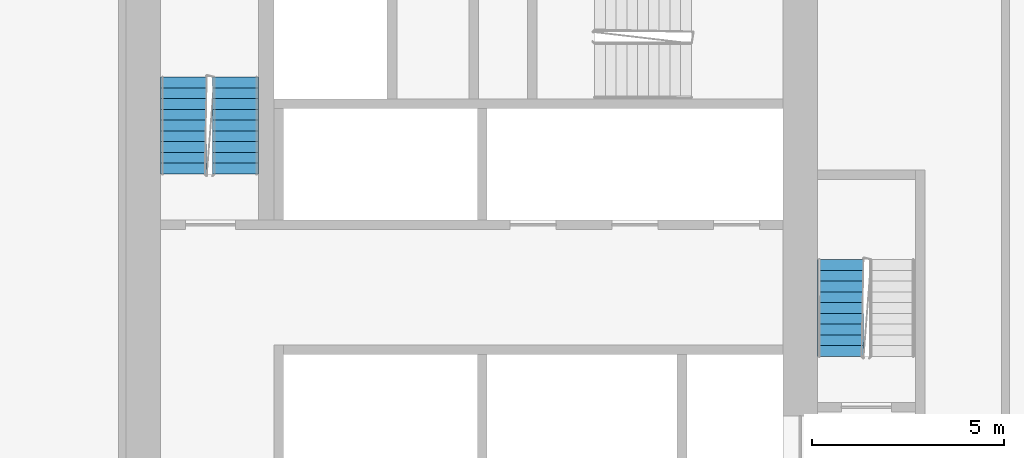
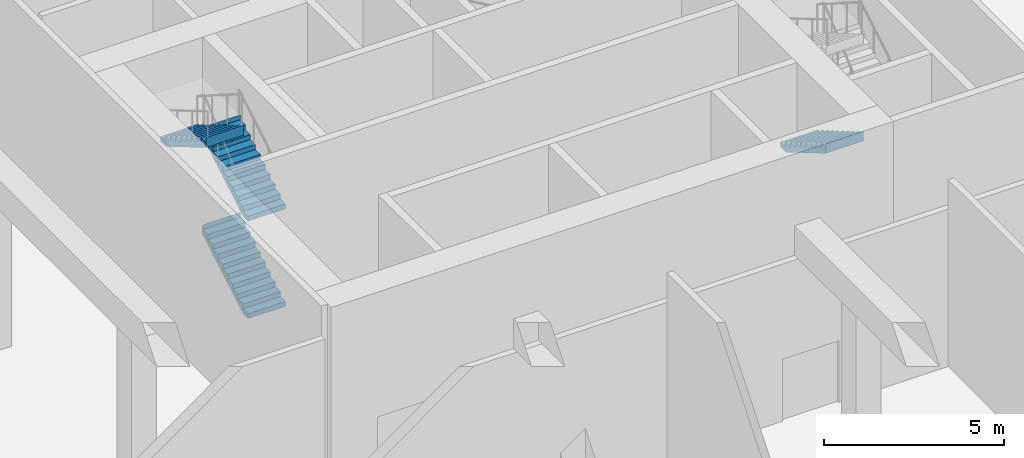
# One storey, part 20 of 25: 4 stair flights, 2 elements without a shape of their own.
"""IFC4 building model written with IfcOpenShell, lengths in metres."""

from ifc_helpers import new_model, si_unit, direction, frame, origin, place, context, subcontext, project, spatial, faceted_brep, material, type_object, element, aggregate, save


model = new_model("IFC4")

# Units and contexts
model_context = context("Model", 3, precision=1e-05, world=origin(), true_north=direction((0.0, 1.0)))
body_context = subcontext(model_context, "Body", "Model", "MODEL_VIEW")
ifc_project = project(units=[si_unit("LENGTHUNIT", "METRE"), si_unit("AREAUNIT", "SQUARE_METRE"), si_unit("VOLUMEUNIT", "CUBIC_METRE"), si_unit("PLANEANGLEUNIT", "RADIAN"), si_unit("MASSUNIT", "GRAM", prefix="KILO")], contexts=[model_context])

# Site, building, storey
site_placement = place(None, origin())
site = spatial("IfcSite", under=ifc_project, at=site_placement, CompositionType="ELEMENT")
building_placement = place(site_placement, origin())
building = spatial("IfcBuilding", under=site, at=building_placement, Name="Kajstack Hotel Tower", CompositionType="ELEMENT")
storey_placement = place(building_placement, frame((0.0, 0.0, 104.199951171875)))
storey = spatial("IfcBuildingStorey", under=building, at=storey_placement, Name="L22", CompositionType="ELEMENT", Elevation=104.199951171875)

# Stair, stair flight
ifc_material = material(Name="Concrete C40/50", Category="concrete")
stair_type = type_object("IfcStairType", Name="Exit stair 1200", PredefinedType="HALF_TURN_STAIR", material=ifc_material)
stair_1_placement = place(storey_placement, origin())
stair_1 = element("IfcStair", 1, at=stair_1_placement, inside=storey, type_object=stair_type, Name="L22 stair E1", PredefinedType="HALF_TURN_STAIR")
stair_flight_type = type_object("IfcStairFlightType", Name="Exit stair flight 1200", PredefinedType="STRAIGHT", material=ifc_material)
stair_flight_1_placement = place(storey_placement, frame((32.10009765625, 7.77001953125, 1.650146484375), z_axis=(0.0, 0.0, 1.0), x_axis=(0.0, -1.0, 0.0)))
stair_flight_1 = element("IfcStairFlight", 2, at=stair_flight_1_placement, type_object=stair_flight_type, Name="E1 flight 2", NumberOfRisers=10, NumberOfTreads=9, PredefinedType="STRAIGHT", RiserHeight=0.165, TreadLength=0.28, context=body_context, shape_type="Brep", body=[
    faceted_brep([(0.295654296875, -0.60009765625, 0.0), (2.5205078125, -0.60009765625, 1.31103515625), (2.5205078125, -0.60009765625, 1.64990234375), (2.52001953125, -0.60009765625, 1.64990234375), (2.52001953125, -0.60009765625, 1.485107421875), (2.239990234375, -0.60009765625, 1.485107421875), (2.239990234375, -0.60009765625, 1.320068359375), (1.9599609375, -0.60009765625, 1.320068359375), (1.9599609375, -0.60009765625, 1.155029296875), (1.679931640625, -0.60009765625, 1.155029296875), (1.679931640625, -0.60009765625, 0.989990234375), (1.39990234375, -0.60009765625, 0.989990234375), (1.39990234375, -0.60009765625, 0.824951171875), (1.1201171875, -0.60009765625, 0.824951171875), (1.1201171875, -0.60009765625, 0.659912109375), (0.840087890625, -0.60009765625, 0.659912109375), (0.840087890625, -0.60009765625, 0.4951171875), (0.56005859375, -0.60009765625, 0.4951171875), (0.56005859375, -0.60009765625, 0.330078125), (0.280029296875, -0.60009765625, 0.330078125), (0.280029296875, -0.60009765625, 0.1650390625), (-0.00048828125, -0.60009765625, 0.1650390625), (-0.00048828125, -0.60009765625, 0.0), (-0.00048828125, 0.60009765625, 0.0), (-0.00048828125, 0.60009765625, 0.1650390625), (0.280029296875, 0.60009765625, 0.1650390625), (0.280029296875, 0.60009765625, 0.330078125), (0.56005859375, 0.60009765625, 0.330078125), (0.56005859375, 0.60009765625, 0.4951171875), (0.840087890625, 0.60009765625, 0.4951171875), (0.840087890625, 0.60009765625, 0.659912109375), (1.1201171875, 0.60009765625, 0.659912109375), (1.1201171875, 0.60009765625, 0.824951171875), (1.39990234375, 0.60009765625, 0.824951171875), (1.39990234375, 0.60009765625, 0.989990234375), (1.679931640625, 0.60009765625, 0.989990234375), (1.679931640625, 0.60009765625, 1.155029296875), (1.9599609375, 0.60009765625, 1.155029296875), (1.9599609375, 0.60009765625, 1.320068359375), (2.239990234375, 0.60009765625, 1.320068359375), (2.239990234375, 0.60009765625, 1.485107421875), (2.52001953125, 0.60009765625, 1.485107421875), (2.52001953125, 0.60009765625, 1.64990234375), (2.5205078125, 0.60009765625, 1.64990234375), (2.5205078125, 0.60009765625, 1.31103515625), (0.295654296875, 0.60009765625, 0.0), (-0.00048828125, -0.300048828125, 0.1650390625), (-0.00048828125, 0.0, 0.1650390625), (-0.00048828125, 0.300048828125, 0.1650390625), (-0.00048828125, 0.300048828125, 0.0), (-0.00048828125, 0.0, 0.0), (-0.00048828125, -0.300048828125, 0.0), (0.280029296875, -0.300048828125, 0.1650390625), (0.280029296875, 0.0, 0.1650390625), (0.280029296875, 0.300048828125, 0.1650390625), (0.280029296875, -0.300048828125, 0.330078125), (0.280029296875, 0.0, 0.330078125), (0.280029296875, 0.300048828125, 0.330078125), (0.56005859375, -0.300048828125, 0.330078125), (0.56005859375, 0.0, 0.330078125), (0.56005859375, 0.300048828125, 0.330078125), (0.56005859375, -0.300048828125, 0.4951171875), (0.56005859375, 0.0, 0.4951171875), (0.56005859375, 0.300048828125, 0.4951171875), (0.840087890625, -0.300048828125, 0.4951171875), (0.840087890625, 0.0, 0.4951171875), (0.840087890625, 0.300048828125, 0.4951171875), (0.840087890625, -0.300048828125, 0.659912109375), (0.840087890625, 0.0, 0.659912109375), (0.840087890625, 0.300048828125, 0.659912109375), (1.1201171875, -0.300048828125, 0.659912109375), (1.1201171875, 0.0, 0.659912109375), (1.1201171875, 0.300048828125, 0.659912109375), (1.1201171875, -0.300048828125, 0.824951171875), (1.1201171875, 0.0, 0.824951171875), (1.1201171875, 0.300048828125, 0.824951171875), (1.39990234375, -0.300048828125, 0.824951171875), (1.39990234375, 0.0, 0.824951171875), (1.39990234375, 0.300048828125, 0.824951171875), (1.39990234375, -0.300048828125, 0.989990234375), (1.39990234375, 0.0, 0.989990234375), (1.39990234375, 0.300048828125, 0.989990234375), (1.679931640625, -0.300048828125, 0.989990234375), (1.679931640625, 0.0, 0.989990234375), (1.679931640625, 0.300048828125, 0.989990234375), (1.679931640625, -0.300048828125, 1.155029296875), (1.679931640625, 0.0, 1.155029296875), (1.679931640625, 0.300048828125, 1.155029296875), (1.9599609375, -0.300048828125, 1.155029296875), (1.9599609375, 0.0, 1.155029296875), (1.9599609375, 0.300048828125, 1.155029296875), (1.9599609375, -0.300048828125, 1.320068359375), (1.9599609375, 0.0, 1.320068359375), (1.9599609375, 0.300048828125, 1.320068359375), (2.239990234375, -0.300048828125, 1.320068359375), (2.239990234375, 0.0, 1.320068359375), (2.239990234375, 0.300048828125, 1.320068359375), (2.239990234375, -0.300048828125, 1.485107421875), (2.239990234375, 0.0, 1.485107421875), (2.239990234375, 0.300048828125, 1.485107421875), (2.52001953125, -0.300048828125, 1.485107421875), (2.52001953125, 0.0, 1.485107421875), (2.52001953125, 0.300048828125, 1.485107421875), (2.52001953125, -0.300048828125, 1.64990234375), (2.52001953125, 0.0, 1.64990234375), (2.52001953125, 0.300048828125, 1.64990234375), (2.5205078125, -0.300048828125, 1.64990234375), (2.5205078125, 0.0, 1.64990234375), (2.5205078125, 0.300048828125, 1.64990234375), (2.5205078125, -0.300048828125, 1.31103515625), (2.5205078125, 0.0, 1.31103515625), (2.5205078125, 0.300048828125, 1.31103515625), (0.295654296875, -0.300048828125, 0.0), (0.295654296875, 0.0, 0.0), (0.295654296875, 0.300048828125, 0.0)], [[[0, 1, 2, 3, 4, 5, 6, 7, 8, 9, 10, 11, 12, 13, 14, 15, 16, 17, 18, 19, 20, 21, 22]], [[23, 24, 25, 26, 27, 28, 29, 30, 31, 32, 33, 34, 35, 36, 37, 38, 39, 40, 41, 42, 43, 44, 45]], [[21, 46, 47, 48, 24, 23, 49, 50, 51, 22]], [[20, 52, 53, 54, 25, 24, 48, 47, 46, 21]], [[19, 55, 56, 57, 26, 25, 54, 53, 52, 20]], [[18, 58, 59, 60, 27, 26, 57, 56, 55, 19]], [[17, 61, 62, 63, 28, 27, 60, 59, 58, 18]], [[16, 64, 65, 66, 29, 28, 63, 62, 61, 17]], [[15, 67, 68, 69, 30, 29, 66, 65, 64, 16]], [[14, 70, 71, 72, 31, 30, 69, 68, 67, 15]], [[13, 73, 74, 75, 32, 31, 72, 71, 70, 14]], [[12, 76, 77, 78, 33, 32, 75, 74, 73, 13]], [[11, 79, 80, 81, 34, 33, 78, 77, 76, 12]], [[10, 82, 83, 84, 35, 34, 81, 80, 79, 11]], [[9, 85, 86, 87, 36, 35, 84, 83, 82, 10]], [[8, 88, 89, 90, 37, 36, 87, 86, 85, 9]], [[7, 91, 92, 93, 38, 37, 90, 89, 88, 8]], [[6, 94, 95, 96, 39, 38, 93, 92, 91, 7]], [[5, 97, 98, 99, 40, 39, 96, 95, 94, 6]], [[4, 100, 101, 102, 41, 40, 99, 98, 97, 5]], [[3, 103, 104, 105, 42, 41, 102, 101, 100, 4]], [[2, 106, 107, 108, 43, 42, 105, 104, 103, 3]], [[1, 109, 110, 111, 44, 43, 108, 107, 106, 2]], [[0, 112, 113, 114, 45, 44, 111, 110, 109, 1]], [[22, 51, 50, 49, 23, 45, 114, 113, 112, 0]]]),
])
aggregate(stair_1, [stair_flight_1])

# Stair, stair flights
stair_2_placement = place(storey_placement, origin())
stair_2 = element("IfcStair", 3, at=stair_2_placement, inside=storey, type_object=stair_type, Name="L22 stair E2", PredefinedType="HALF_TURN_STAIR")
stair_flight_2_placement = place(storey_placement, frame((16.35009765625, 10.0, 0.0), z_axis=(0.0, 0.0, 1.0), x_axis=(0.0, 1.0, 0.0)))
stair_flight_2 = element("IfcStairFlight", 4, at=stair_flight_2_placement, type_object=stair_flight_type, Name="E2 flight 1", NumberOfRisers=10, NumberOfTreads=9, PredefinedType="STRAIGHT", RiserHeight=0.165, TreadLength=0.28, context=body_context, shape_type="Brep", body=[
    faceted_brep([(0.295654296875, -0.60009765625, 0.0), (2.5205078125, -0.60009765625, 1.31103515625), (2.5205078125, -0.60009765625, 1.64990234375), (2.52001953125, -0.60009765625, 1.64990234375), (2.52001953125, -0.60009765625, 1.485107421875), (2.239990234375, -0.60009765625, 1.485107421875), (2.239990234375, -0.60009765625, 1.320068359375), (1.9599609375, -0.60009765625, 1.320068359375), (1.9599609375, -0.60009765625, 1.155029296875), (1.679931640625, -0.60009765625, 1.155029296875), (1.679931640625, -0.60009765625, 0.989990234375), (1.39990234375, -0.60009765625, 0.989990234375), (1.39990234375, -0.60009765625, 0.824951171875), (1.1201171875, -0.60009765625, 0.824951171875), (1.1201171875, -0.60009765625, 0.659912109375), (0.840087890625, -0.60009765625, 0.659912109375), (0.840087890625, -0.60009765625, 0.4951171875), (0.56005859375, -0.60009765625, 0.4951171875), (0.56005859375, -0.60009765625, 0.330078125), (0.280029296875, -0.60009765625, 0.330078125), (0.280029296875, -0.60009765625, 0.1650390625), (-0.00048828125, -0.60009765625, 0.1650390625), (-0.00048828125, -0.60009765625, 0.0), (-0.00048828125, 0.60009765625, 0.0), (-0.00048828125, 0.60009765625, 0.1650390625), (0.280029296875, 0.60009765625, 0.1650390625), (0.280029296875, 0.60009765625, 0.330078125), (0.56005859375, 0.60009765625, 0.330078125), (0.56005859375, 0.60009765625, 0.4951171875), (0.840087890625, 0.60009765625, 0.4951171875), (0.840087890625, 0.60009765625, 0.659912109375), (1.1201171875, 0.60009765625, 0.659912109375), (1.1201171875, 0.60009765625, 0.824951171875), (1.39990234375, 0.60009765625, 0.824951171875), (1.39990234375, 0.60009765625, 0.989990234375), (1.679931640625, 0.60009765625, 0.989990234375), (1.679931640625, 0.60009765625, 1.155029296875), (1.9599609375, 0.60009765625, 1.155029296875), (1.9599609375, 0.60009765625, 1.320068359375), (2.239990234375, 0.60009765625, 1.320068359375), (2.239990234375, 0.60009765625, 1.485107421875), (2.52001953125, 0.60009765625, 1.485107421875), (2.52001953125, 0.60009765625, 1.64990234375), (2.5205078125, 0.60009765625, 1.64990234375), (2.5205078125, 0.60009765625, 1.31103515625), (0.295654296875, 0.60009765625, 0.0), (-0.00048828125, -0.300048828125, 0.1650390625), (-0.00048828125, 0.0, 0.1650390625), (-0.00048828125, 0.300048828125, 0.1650390625), (-0.00048828125, 0.300048828125, 0.0), (-0.00048828125, 0.0, 0.0), (-0.00048828125, -0.300048828125, 0.0), (0.280029296875, -0.300048828125, 0.1650390625), (0.280029296875, 0.0, 0.1650390625), (0.280029296875, 0.300048828125, 0.1650390625), (0.280029296875, -0.300048828125, 0.330078125), (0.280029296875, 0.0, 0.330078125), (0.280029296875, 0.300048828125, 0.330078125), (0.56005859375, -0.300048828125, 0.330078125), (0.56005859375, 0.0, 0.330078125), (0.56005859375, 0.300048828125, 0.330078125), (0.56005859375, -0.300048828125, 0.4951171875), (0.56005859375, 0.0, 0.4951171875), (0.56005859375, 0.300048828125, 0.4951171875), (0.840087890625, -0.300048828125, 0.4951171875), (0.840087890625, 0.0, 0.4951171875), (0.840087890625, 0.300048828125, 0.4951171875), (0.840087890625, -0.300048828125, 0.659912109375), (0.840087890625, 0.0, 0.659912109375), (0.840087890625, 0.300048828125, 0.659912109375), (1.1201171875, -0.300048828125, 0.659912109375), (1.1201171875, 0.0, 0.659912109375), (1.1201171875, 0.300048828125, 0.659912109375), (1.1201171875, -0.300048828125, 0.824951171875), (1.1201171875, 0.0, 0.824951171875), (1.1201171875, 0.300048828125, 0.824951171875), (1.39990234375, -0.300048828125, 0.824951171875), (1.39990234375, 0.0, 0.824951171875), (1.39990234375, 0.300048828125, 0.824951171875), (1.39990234375, -0.300048828125, 0.989990234375), (1.39990234375, 0.0, 0.989990234375), (1.39990234375, 0.300048828125, 0.989990234375), (1.679931640625, -0.300048828125, 0.989990234375), (1.679931640625, 0.0, 0.989990234375), (1.679931640625, 0.300048828125, 0.989990234375), (1.679931640625, -0.300048828125, 1.155029296875), (1.679931640625, 0.0, 1.155029296875), (1.679931640625, 0.300048828125, 1.155029296875), (1.9599609375, -0.300048828125, 1.155029296875), (1.9599609375, 0.0, 1.155029296875), (1.9599609375, 0.300048828125, 1.155029296875), (1.9599609375, -0.300048828125, 1.320068359375), (1.9599609375, 0.0, 1.320068359375), (1.9599609375, 0.300048828125, 1.320068359375), (2.239990234375, -0.300048828125, 1.320068359375), (2.239990234375, 0.0, 1.320068359375), (2.239990234375, 0.300048828125, 1.320068359375), (2.239990234375, -0.300048828125, 1.485107421875), (2.239990234375, 0.0, 1.485107421875), (2.239990234375, 0.300048828125, 1.485107421875), (2.52001953125, -0.300048828125, 1.485107421875), (2.52001953125, 0.0, 1.485107421875), (2.52001953125, 0.300048828125, 1.485107421875), (2.52001953125, -0.300048828125, 1.64990234375), (2.52001953125, 0.0, 1.64990234375), (2.52001953125, 0.300048828125, 1.64990234375), (2.5205078125, -0.300048828125, 1.64990234375), (2.5205078125, 0.0, 1.64990234375), (2.5205078125, 0.300048828125, 1.64990234375), (2.5205078125, -0.300048828125, 1.31103515625), (2.5205078125, 0.0, 1.31103515625), (2.5205078125, 0.300048828125, 1.31103515625), (0.295654296875, -0.300048828125, 0.0), (0.295654296875, 0.0, 0.0), (0.295654296875, 0.300048828125, 0.0)], [[[0, 1, 2, 3, 4, 5, 6, 7, 8, 9, 10, 11, 12, 13, 14, 15, 16, 17, 18, 19, 20, 21, 22]], [[23, 24, 25, 26, 27, 28, 29, 30, 31, 32, 33, 34, 35, 36, 37, 38, 39, 40, 41, 42, 43, 44, 45]], [[21, 46, 47, 48, 24, 23, 49, 50, 51, 22]], [[20, 52, 53, 54, 25, 24, 48, 47, 46, 21]], [[19, 55, 56, 57, 26, 25, 54, 53, 52, 20]], [[18, 58, 59, 60, 27, 26, 57, 56, 55, 19]], [[17, 61, 62, 63, 28, 27, 60, 59, 58, 18]], [[16, 64, 65, 66, 29, 28, 63, 62, 61, 17]], [[15, 67, 68, 69, 30, 29, 66, 65, 64, 16]], [[14, 70, 71, 72, 31, 30, 69, 68, 67, 15]], [[13, 73, 74, 75, 32, 31, 72, 71, 70, 14]], [[12, 76, 77, 78, 33, 32, 75, 74, 73, 13]], [[11, 79, 80, 81, 34, 33, 78, 77, 76, 12]], [[10, 82, 83, 84, 35, 34, 81, 80, 79, 11]], [[9, 85, 86, 87, 36, 35, 84, 83, 82, 10]], [[8, 88, 89, 90, 37, 36, 87, 86, 85, 9]], [[7, 91, 92, 93, 38, 37, 90, 89, 88, 8]], [[6, 94, 95, 96, 39, 38, 93, 92, 91, 7]], [[5, 97, 98, 99, 40, 39, 96, 95, 94, 6]], [[4, 100, 101, 102, 41, 40, 99, 98, 97, 5]], [[3, 103, 104, 105, 42, 41, 102, 101, 100, 4]], [[2, 106, 107, 108, 43, 42, 105, 104, 103, 3]], [[1, 109, 110, 111, 44, 43, 108, 107, 106, 2]], [[0, 112, 113, 114, 45, 44, 111, 110, 109, 1]], [[22, 51, 50, 49, 23, 45, 114, 113, 112, 0]]]),
])
stair_flight_3_placement = place(storey_placement, frame((16.35009765625, 10.0, 3.300048828125), z_axis=(0.0, 0.0, 1.0), x_axis=(0.0, 1.0, 0.0)))
stair_flight_3 = element("IfcStairFlight", 5, at=stair_flight_3_placement, type_object=stair_flight_type, Name="E2 flight 3", NumberOfRisers=10, NumberOfTreads=9, PredefinedType="STRAIGHT", RiserHeight=0.165, TreadLength=0.28, context=body_context, shape_type="Brep", body=[
    faceted_brep([(0.295654296875, -0.60009765625, 0.0), (2.5205078125, -0.60009765625, 1.31103515625), (2.5205078125, -0.60009765625, 1.64990234375), (2.52001953125, -0.60009765625, 1.64990234375), (2.52001953125, -0.60009765625, 1.485107421875), (2.239990234375, -0.60009765625, 1.485107421875), (2.239990234375, -0.60009765625, 1.320068359375), (1.9599609375, -0.60009765625, 1.320068359375), (1.9599609375, -0.60009765625, 1.155029296875), (1.679931640625, -0.60009765625, 1.155029296875), (1.679931640625, -0.60009765625, 0.989990234375), (1.39990234375, -0.60009765625, 0.989990234375), (1.39990234375, -0.60009765625, 0.824951171875), (1.1201171875, -0.60009765625, 0.824951171875), (1.1201171875, -0.60009765625, 0.659912109375), (0.840087890625, -0.60009765625, 0.659912109375), (0.840087890625, -0.60009765625, 0.4951171875), (0.56005859375, -0.60009765625, 0.4951171875), (0.56005859375, -0.60009765625, 0.330078125), (0.280029296875, -0.60009765625, 0.330078125), (0.280029296875, -0.60009765625, 0.1650390625), (-0.00048828125, -0.60009765625, 0.1650390625), (-0.00048828125, -0.60009765625, 0.0), (-0.00048828125, 0.60009765625, 0.0), (-0.00048828125, 0.60009765625, 0.1650390625), (0.280029296875, 0.60009765625, 0.1650390625), (0.280029296875, 0.60009765625, 0.330078125), (0.56005859375, 0.60009765625, 0.330078125), (0.56005859375, 0.60009765625, 0.4951171875), (0.840087890625, 0.60009765625, 0.4951171875), (0.840087890625, 0.60009765625, 0.659912109375), (1.1201171875, 0.60009765625, 0.659912109375), (1.1201171875, 0.60009765625, 0.824951171875), (1.39990234375, 0.60009765625, 0.824951171875), (1.39990234375, 0.60009765625, 0.989990234375), (1.679931640625, 0.60009765625, 0.989990234375), (1.679931640625, 0.60009765625, 1.155029296875), (1.9599609375, 0.60009765625, 1.155029296875), (1.9599609375, 0.60009765625, 1.320068359375), (2.239990234375, 0.60009765625, 1.320068359375), (2.239990234375, 0.60009765625, 1.485107421875), (2.52001953125, 0.60009765625, 1.485107421875), (2.52001953125, 0.60009765625, 1.64990234375), (2.5205078125, 0.60009765625, 1.64990234375), (2.5205078125, 0.60009765625, 1.31103515625), (0.295654296875, 0.60009765625, 0.0), (-0.00048828125, -0.300048828125, 0.1650390625), (-0.00048828125, 0.0, 0.1650390625), (-0.00048828125, 0.300048828125, 0.1650390625), (-0.00048828125, 0.300048828125, 0.0), (-0.00048828125, 0.0, 0.0), (-0.00048828125, -0.300048828125, 0.0), (0.280029296875, -0.300048828125, 0.1650390625), (0.280029296875, 0.0, 0.1650390625), (0.280029296875, 0.300048828125, 0.1650390625), (0.280029296875, -0.300048828125, 0.330078125), (0.280029296875, 0.0, 0.330078125), (0.280029296875, 0.300048828125, 0.330078125), (0.56005859375, -0.300048828125, 0.330078125), (0.56005859375, 0.0, 0.330078125), (0.56005859375, 0.300048828125, 0.330078125), (0.56005859375, -0.300048828125, 0.4951171875), (0.56005859375, 0.0, 0.4951171875), (0.56005859375, 0.300048828125, 0.4951171875), (0.840087890625, -0.300048828125, 0.4951171875), (0.840087890625, 0.0, 0.4951171875), (0.840087890625, 0.300048828125, 0.4951171875), (0.840087890625, -0.300048828125, 0.659912109375), (0.840087890625, 0.0, 0.659912109375), (0.840087890625, 0.300048828125, 0.659912109375), (1.1201171875, -0.300048828125, 0.659912109375), (1.1201171875, 0.0, 0.659912109375), (1.1201171875, 0.300048828125, 0.659912109375), (1.1201171875, -0.300048828125, 0.824951171875), (1.1201171875, 0.0, 0.824951171875), (1.1201171875, 0.300048828125, 0.824951171875), (1.39990234375, -0.300048828125, 0.824951171875), (1.39990234375, 0.0, 0.824951171875), (1.39990234375, 0.300048828125, 0.824951171875), (1.39990234375, -0.300048828125, 0.989990234375), (1.39990234375, 0.0, 0.989990234375), (1.39990234375, 0.300048828125, 0.989990234375), (1.679931640625, -0.300048828125, 0.989990234375), (1.679931640625, 0.0, 0.989990234375), (1.679931640625, 0.300048828125, 0.989990234375), (1.679931640625, -0.300048828125, 1.155029296875), (1.679931640625, 0.0, 1.155029296875), (1.679931640625, 0.300048828125, 1.155029296875), (1.9599609375, -0.300048828125, 1.155029296875), (1.9599609375, 0.0, 1.155029296875), (1.9599609375, 0.300048828125, 1.155029296875), (1.9599609375, -0.300048828125, 1.320068359375), (1.9599609375, 0.0, 1.320068359375), (1.9599609375, 0.300048828125, 1.320068359375), (2.239990234375, -0.300048828125, 1.320068359375), (2.239990234375, 0.0, 1.320068359375), (2.239990234375, 0.300048828125, 1.320068359375), (2.239990234375, -0.300048828125, 1.485107421875), (2.239990234375, 0.0, 1.485107421875), (2.239990234375, 0.300048828125, 1.485107421875), (2.52001953125, -0.300048828125, 1.485107421875), (2.52001953125, 0.0, 1.485107421875), (2.52001953125, 0.300048828125, 1.485107421875), (2.52001953125, -0.300048828125, 1.64990234375), (2.52001953125, 0.0, 1.64990234375), (2.52001953125, 0.300048828125, 1.64990234375), (2.5205078125, -0.300048828125, 1.64990234375), (2.5205078125, 0.0, 1.64990234375), (2.5205078125, 0.300048828125, 1.64990234375), (2.5205078125, -0.300048828125, 1.31103515625), (2.5205078125, 0.0, 1.31103515625), (2.5205078125, 0.300048828125, 1.31103515625), (0.295654296875, -0.300048828125, 0.0), (0.295654296875, 0.0, 0.0), (0.295654296875, 0.300048828125, 0.0)], [[[0, 1, 2, 3, 4, 5, 6, 7, 8, 9, 10, 11, 12, 13, 14, 15, 16, 17, 18, 19, 20, 21, 22]], [[23, 24, 25, 26, 27, 28, 29, 30, 31, 32, 33, 34, 35, 36, 37, 38, 39, 40, 41, 42, 43, 44, 45]], [[21, 46, 47, 48, 24, 23, 49, 50, 51, 22]], [[20, 52, 53, 54, 25, 24, 48, 47, 46, 21]], [[19, 55, 56, 57, 26, 25, 54, 53, 52, 20]], [[18, 58, 59, 60, 27, 26, 57, 56, 55, 19]], [[17, 61, 62, 63, 28, 27, 60, 59, 58, 18]], [[16, 64, 65, 66, 29, 28, 63, 62, 61, 17]], [[15, 67, 68, 69, 30, 29, 66, 65, 64, 16]], [[14, 70, 71, 72, 31, 30, 69, 68, 67, 15]], [[13, 73, 74, 75, 32, 31, 72, 71, 70, 14]], [[12, 76, 77, 78, 33, 32, 75, 74, 73, 13]], [[11, 79, 80, 81, 34, 33, 78, 77, 76, 12]], [[10, 82, 83, 84, 35, 34, 81, 80, 79, 11]], [[9, 85, 86, 87, 36, 35, 84, 83, 82, 10]], [[8, 88, 89, 90, 37, 36, 87, 86, 85, 9]], [[7, 91, 92, 93, 38, 37, 90, 89, 88, 8]], [[6, 94, 95, 96, 39, 38, 93, 92, 91, 7]], [[5, 97, 98, 99, 40, 39, 96, 95, 94, 6]], [[4, 100, 101, 102, 41, 40, 99, 98, 97, 5]], [[3, 103, 104, 105, 42, 41, 102, 101, 100, 4]], [[2, 106, 107, 108, 43, 42, 105, 104, 103, 3]], [[1, 109, 110, 111, 44, 43, 108, 107, 106, 2]], [[0, 112, 113, 114, 45, 44, 111, 110, 109, 1]], [[22, 51, 50, 49, 23, 45, 114, 113, 112, 0]]]),
])
stair_flight_4_placement = place(storey_placement, frame((15.0, 12.52001953125, 4.949951171875), z_axis=(0.0, 0.0, 1.0), x_axis=(0.0, -1.0, 0.0)))
stair_flight_4 = element("IfcStairFlight", 6, at=stair_flight_4_placement, type_object=stair_flight_type, Name="E2 flight 4", NumberOfRisers=10, NumberOfTreads=9, PredefinedType="STRAIGHT", RiserHeight=0.165, TreadLength=0.28, context=body_context, shape_type="Brep", body=[
    faceted_brep([(0.295654296875, -0.60009765625, 0.0), (2.5205078125, -0.60009765625, 1.31103515625), (2.5205078125, -0.60009765625, 1.64990234375), (2.52001953125, -0.60009765625, 1.64990234375), (2.52001953125, -0.60009765625, 1.485107421875), (2.239990234375, -0.60009765625, 1.485107421875), (2.239990234375, -0.60009765625, 1.320068359375), (1.9599609375, -0.60009765625, 1.320068359375), (1.9599609375, -0.60009765625, 1.155029296875), (1.679931640625, -0.60009765625, 1.155029296875), (1.679931640625, -0.60009765625, 0.989990234375), (1.39990234375, -0.60009765625, 0.989990234375), (1.39990234375, -0.60009765625, 0.824951171875), (1.1201171875, -0.60009765625, 0.824951171875), (1.1201171875, -0.60009765625, 0.659912109375), (0.840087890625, -0.60009765625, 0.659912109375), (0.840087890625, -0.60009765625, 0.4951171875), (0.56005859375, -0.60009765625, 0.4951171875), (0.56005859375, -0.60009765625, 0.330078125), (0.280029296875, -0.60009765625, 0.330078125), (0.280029296875, -0.60009765625, 0.1650390625), (-0.00048828125, -0.60009765625, 0.1650390625), (-0.00048828125, -0.60009765625, 0.0), (-0.00048828125, 0.60009765625, 0.0), (-0.00048828125, 0.60009765625, 0.1650390625), (0.280029296875, 0.60009765625, 0.1650390625), (0.280029296875, 0.60009765625, 0.330078125), (0.56005859375, 0.60009765625, 0.330078125), (0.56005859375, 0.60009765625, 0.4951171875), (0.840087890625, 0.60009765625, 0.4951171875), (0.840087890625, 0.60009765625, 0.659912109375), (1.1201171875, 0.60009765625, 0.659912109375), (1.1201171875, 0.60009765625, 0.824951171875), (1.39990234375, 0.60009765625, 0.824951171875), (1.39990234375, 0.60009765625, 0.989990234375), (1.679931640625, 0.60009765625, 0.989990234375), (1.679931640625, 0.60009765625, 1.155029296875), (1.9599609375, 0.60009765625, 1.155029296875), (1.9599609375, 0.60009765625, 1.320068359375), (2.239990234375, 0.60009765625, 1.320068359375), (2.239990234375, 0.60009765625, 1.485107421875), (2.52001953125, 0.60009765625, 1.485107421875), (2.52001953125, 0.60009765625, 1.64990234375), (2.5205078125, 0.60009765625, 1.64990234375), (2.5205078125, 0.60009765625, 1.31103515625), (0.295654296875, 0.60009765625, 0.0), (-0.00048828125, -0.300048828125, 0.1650390625), (-0.00048828125, 0.0, 0.1650390625), (-0.00048828125, 0.300048828125, 0.1650390625), (-0.00048828125, 0.300048828125, 0.0), (-0.00048828125, 0.0, 0.0), (-0.00048828125, -0.300048828125, 0.0), (0.280029296875, -0.300048828125, 0.1650390625), (0.280029296875, 0.0, 0.1650390625), (0.280029296875, 0.300048828125, 0.1650390625), (0.280029296875, -0.300048828125, 0.330078125), (0.280029296875, 0.0, 0.330078125), (0.280029296875, 0.300048828125, 0.330078125), (0.56005859375, -0.300048828125, 0.330078125), (0.56005859375, 0.0, 0.330078125), (0.56005859375, 0.300048828125, 0.330078125), (0.56005859375, -0.300048828125, 0.4951171875), (0.56005859375, 0.0, 0.4951171875), (0.56005859375, 0.300048828125, 0.4951171875), (0.840087890625, -0.300048828125, 0.4951171875), (0.840087890625, 0.0, 0.4951171875), (0.840087890625, 0.300048828125, 0.4951171875), (0.840087890625, -0.300048828125, 0.659912109375), (0.840087890625, 0.0, 0.659912109375), (0.840087890625, 0.300048828125, 0.659912109375), (1.1201171875, -0.300048828125, 0.659912109375), (1.1201171875, 0.0, 0.659912109375), (1.1201171875, 0.300048828125, 0.659912109375), (1.1201171875, -0.300048828125, 0.824951171875), (1.1201171875, 0.0, 0.824951171875), (1.1201171875, 0.300048828125, 0.824951171875), (1.39990234375, -0.300048828125, 0.824951171875), (1.39990234375, 0.0, 0.824951171875), (1.39990234375, 0.300048828125, 0.824951171875), (1.39990234375, -0.300048828125, 0.989990234375), (1.39990234375, 0.0, 0.989990234375), (1.39990234375, 0.300048828125, 0.989990234375), (1.679931640625, -0.300048828125, 0.989990234375), (1.679931640625, 0.0, 0.989990234375), (1.679931640625, 0.300048828125, 0.989990234375), (1.679931640625, -0.300048828125, 1.155029296875), (1.679931640625, 0.0, 1.155029296875), (1.679931640625, 0.300048828125, 1.155029296875), (1.9599609375, -0.300048828125, 1.155029296875), (1.9599609375, 0.0, 1.155029296875), (1.9599609375, 0.300048828125, 1.155029296875), (1.9599609375, -0.300048828125, 1.320068359375), (1.9599609375, 0.0, 1.320068359375), (1.9599609375, 0.300048828125, 1.320068359375), (2.239990234375, -0.300048828125, 1.320068359375), (2.239990234375, 0.0, 1.320068359375), (2.239990234375, 0.300048828125, 1.320068359375), (2.239990234375, -0.300048828125, 1.485107421875), (2.239990234375, 0.0, 1.485107421875), (2.239990234375, 0.300048828125, 1.485107421875), (2.52001953125, -0.300048828125, 1.485107421875), (2.52001953125, 0.0, 1.485107421875), (2.52001953125, 0.300048828125, 1.485107421875), (2.52001953125, -0.300048828125, 1.64990234375), (2.52001953125, 0.0, 1.64990234375), (2.52001953125, 0.300048828125, 1.64990234375), (2.5205078125, -0.300048828125, 1.64990234375), (2.5205078125, 0.0, 1.64990234375), (2.5205078125, 0.300048828125, 1.64990234375), (2.5205078125, -0.300048828125, 1.31103515625), (2.5205078125, 0.0, 1.31103515625), (2.5205078125, 0.300048828125, 1.31103515625), (0.295654296875, -0.300048828125, 0.0), (0.295654296875, 0.0, 0.0), (0.295654296875, 0.300048828125, 0.0)], [[[0, 1, 2, 3, 4, 5, 6, 7, 8, 9, 10, 11, 12, 13, 14, 15, 16, 17, 18, 19, 20, 21, 22]], [[23, 24, 25, 26, 27, 28, 29, 30, 31, 32, 33, 34, 35, 36, 37, 38, 39, 40, 41, 42, 43, 44, 45]], [[21, 46, 47, 48, 24, 23, 49, 50, 51, 22]], [[20, 52, 53, 54, 25, 24, 48, 47, 46, 21]], [[19, 55, 56, 57, 26, 25, 54, 53, 52, 20]], [[18, 58, 59, 60, 27, 26, 57, 56, 55, 19]], [[17, 61, 62, 63, 28, 27, 60, 59, 58, 18]], [[16, 64, 65, 66, 29, 28, 63, 62, 61, 17]], [[15, 67, 68, 69, 30, 29, 66, 65, 64, 16]], [[14, 70, 71, 72, 31, 30, 69, 68, 67, 15]], [[13, 73, 74, 75, 32, 31, 72, 71, 70, 14]], [[12, 76, 77, 78, 33, 32, 75, 74, 73, 13]], [[11, 79, 80, 81, 34, 33, 78, 77, 76, 12]], [[10, 82, 83, 84, 35, 34, 81, 80, 79, 11]], [[9, 85, 86, 87, 36, 35, 84, 83, 82, 10]], [[8, 88, 89, 90, 37, 36, 87, 86, 85, 9]], [[7, 91, 92, 93, 38, 37, 90, 89, 88, 8]], [[6, 94, 95, 96, 39, 38, 93, 92, 91, 7]], [[5, 97, 98, 99, 40, 39, 96, 95, 94, 6]], [[4, 100, 101, 102, 41, 40, 99, 98, 97, 5]], [[3, 103, 104, 105, 42, 41, 102, 101, 100, 4]], [[2, 106, 107, 108, 43, 42, 105, 104, 103, 3]], [[1, 109, 110, 111, 44, 43, 108, 107, 106, 2]], [[0, 112, 113, 114, 45, 44, 111, 110, 109, 1]], [[22, 51, 50, 49, 23, 45, 114, 113, 112, 0]]]),
])
aggregate(stair_2, [stair_flight_2, stair_flight_3, stair_flight_4])

save(model, "model.ifc")
